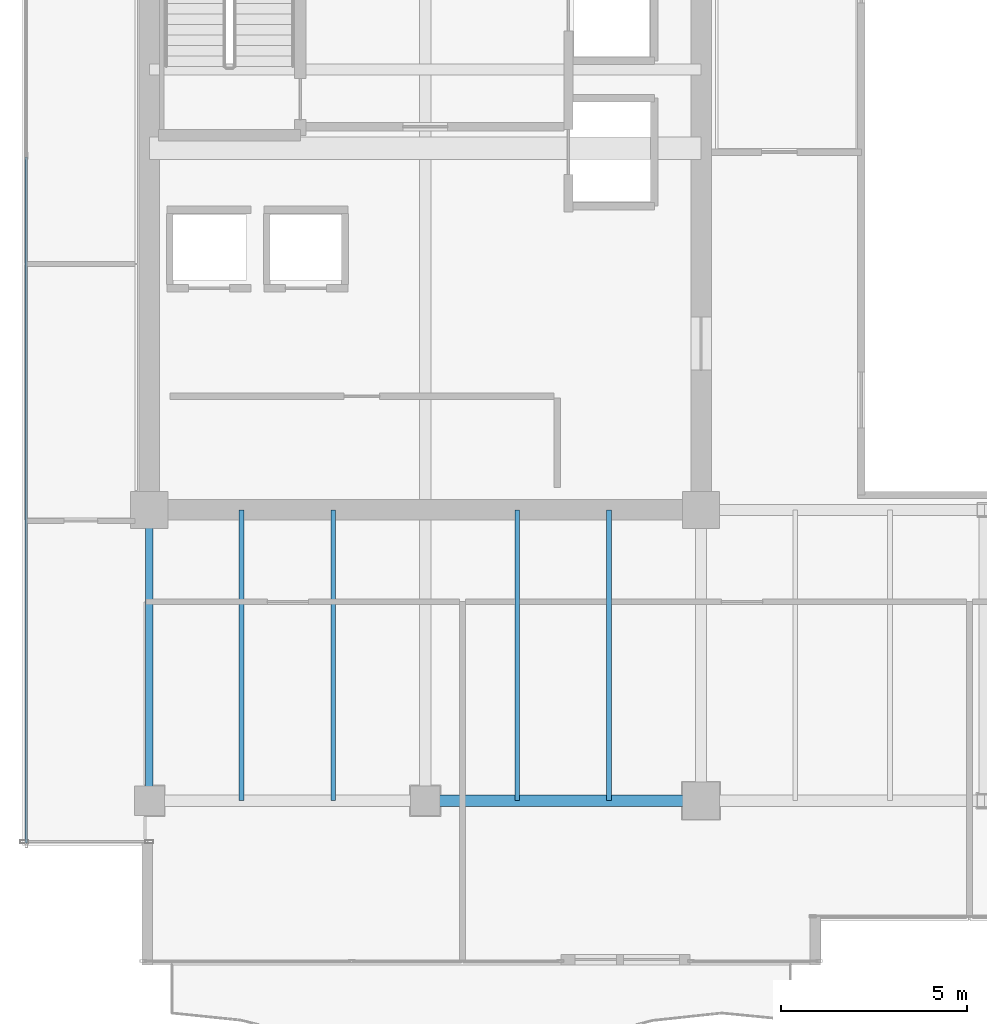
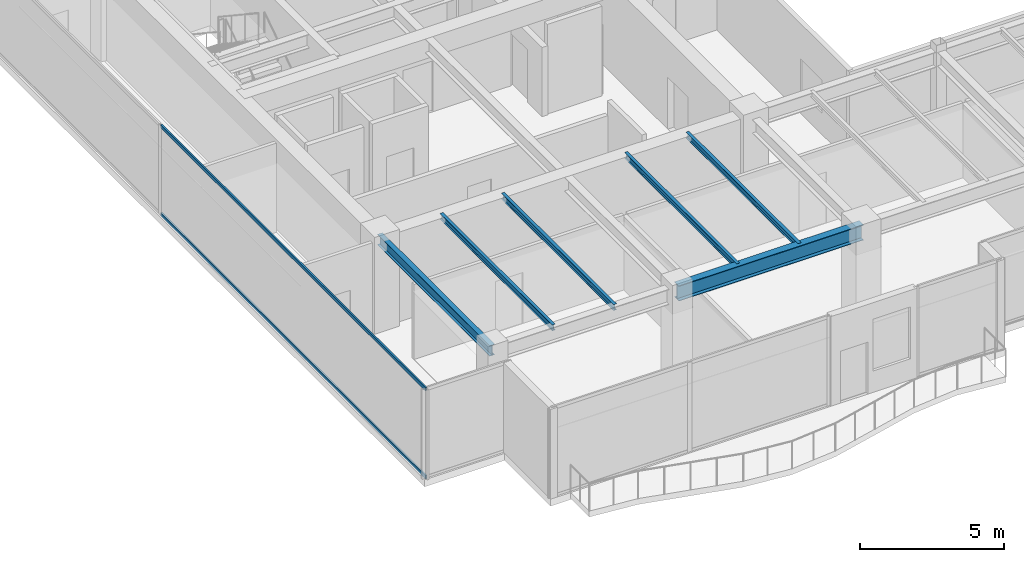
# One storey, part 5 of 35: 6 beams, 2 members, 1 element without a shape of its own.
"""IFC4 building model written with IfcOpenShell, lengths in metres."""

from ifc_helpers import new_model, si_unit, direction, frame, origin, origin_2d, place, context, subcontext, project, spatial, hollow_rectangle, i_section, extrude, source, transform, mapped, material, layer, layer_set, material_profile, profile_set, type_object, type_shapes, element, aggregate, save


model = new_model("IFC4")

# Units and contexts
model_context = context("Model", 3, precision=1e-05, world=origin(), true_north=direction((0.0, 1.0)))
body_context = subcontext(model_context, "Body", "Model", "MODEL_VIEW")
ifc_project = project(units=[si_unit("LENGTHUNIT", "METRE"), si_unit("AREAUNIT", "SQUARE_METRE"), si_unit("VOLUMEUNIT", "CUBIC_METRE"), si_unit("PLANEANGLEUNIT", "RADIAN"), si_unit("MASSUNIT", "GRAM", prefix="KILO")], contexts=[model_context])

# Site, building, storey
site_placement = place(None, origin())
site = spatial("IfcSite", under=ifc_project, at=site_placement, CompositionType="ELEMENT")
building_placement = place(site_placement, origin())
building = spatial("IfcBuilding", under=site, at=building_placement, Name="Haelvirn Gate Laboratories", CompositionType="ELEMENT")
storey_placement = place(building_placement, frame((0.0, 0.0, 283.39990234375)))
storey = spatial("IfcBuildingStorey", under=building, at=storey_placement, Name="L68", CompositionType="ELEMENT", Elevation=283.39990234375)

# Beams
ifc_material_1 = material(Name="Steel SM355", Category="steel")
ifc_material_profile_1 = material_profile(ifc_material_1, i_section(OverallWidth=0.300048828125, OverallDepth=0.64990234375, WebThickness=0.012939453125, FlangeThickness=0.02197265625, at=origin_2d()), Name="H-650x300x13x22")
ifc_profile_set_1 = profile_set([ifc_material_profile_1], Name="Steel SM355")
beam_type_1 = type_object("IfcBeamType", Name="BM-G-650", PredefinedType="BEAM", material=ifc_profile_set_1)
shared_shape_1 = source(origin(), body_context, "Body", "SweptSolid", [
    extrude(i_section(OverallWidth=0.300048828125, OverallDepth=0.64990234375, WebThickness=0.012939453125, FlangeThickness=0.02197265625, at=origin_2d()), origin(), (0.0, 0.0, 1.0), 7.39990234375),
])
type_shapes(beam_type_1, [shared_shape_1])
beam_1_placement = place(storey_placement, frame((14.800048828125, 7.0, 3.47509765625), z_axis=(1.0, 0.0, 0.0), x_axis=(0.0, 1.0, 0.0)))
element("IfcBeam", 1, at=beam_1_placement, inside=storey, type_object=beam_type_1, Name="L68 Primary Girder Y7.0 (14.8-22.2)", PredefinedType="BEAM", context=body_context, shape_type="MappedRepresentation", body=[
    mapped(shared_shape_1, transform((0.0, 0.0, 0.0), scale=1.0)),
])
ifc_material_profile_2 = material_profile(ifc_material_1, i_section(OverallWidth=0.199951171875, OverallDepth=0.449951171875, WebThickness=0.009033203125, FlangeThickness=0.013916015625, at=origin_2d()), Name="H-450x200x9x14")
ifc_profile_set_2 = profile_set([ifc_material_profile_2], Name="Steel SM355")
beam_type_2 = type_object("IfcBeamType", Name="BM-SP-450", PredefinedType="SPANDREL", material=ifc_profile_set_2)
shared_shape_2 = source(origin(), body_context, "Body", "SweptSolid", [
    extrude(i_section(OverallWidth=0.199951171875, OverallDepth=0.449951171875, WebThickness=0.009033203125, FlangeThickness=0.013916015625, at=origin_2d()), origin(), (0.0, 0.0, 1.0), 7.800048828125),
])
type_shapes(beam_type_2, [shared_shape_2])
beam_2_placement = place(storey_placement, frame((7.39990234375, 7.0, 3.5751953125), z_axis=(0.0, 1.0, 0.0), x_axis=(-1.0, 0.0, 0.0)))
element("IfcBeam", 2, at=beam_2_placement, inside=storey, type_object=beam_type_2, Name="L68 Perimeter Spandrel X7.4 (7.0-14.8)", PredefinedType="SPANDREL", context=body_context, shape_type="MappedRepresentation", body=[
    mapped(shared_shape_2, transform((0.0, 0.0, 0.0), scale=1.0)),
])
ifc_material_profile_3 = material_profile(ifc_material_1, i_section(OverallWidth=0.125, OverallDepth=0.25, WebThickness=0.006103515625, FlangeThickness=0.009033203125, at=origin_2d()), Name="H-250x125x6x9")
ifc_profile_set_3 = profile_set([ifc_material_profile_3], Name="Steel SM355")
beam_type_3 = type_object("IfcBeamType", Name="BM-J-250", PredefinedType="JOIST", material=ifc_profile_set_3)
shared_shape_3 = source(origin(), body_context, "Body", "SweptSolid", [
    extrude(i_section(OverallWidth=0.125, OverallDepth=0.25, WebThickness=0.006103515625, FlangeThickness=0.009033203125, at=origin_2d()), origin(), (0.0, 0.0, 1.0), 7.800048828125),
])
type_shapes(beam_type_3, [shared_shape_3])
for number, where, z_axis, x_axis, name in (
    (3, (9.8701171875, 7.0, 3.675048828125), (0.0, 1.0, 0.0), (-1.0, 0.0, 0.0), "L68 Composite Lab Joist South X9.87"),
    (4, (12.330078125, 7.0, 3.675048828125), (0.0, 1.0, 0.0), (-1.0, 0.0, 0.0), "L68 Composite Lab Joist South X12.33"),
    (5, (17.27001953125, 7.0, 3.675048828125), (0.0, 1.0, 0.0), (-1.0, 0.0, 0.0), "L68 Composite Lab Joist South X17.27"),
    (6, (19.72998046875, 7.0, 3.675048828125), (0.0, 1.0, 0.0), (-1.0, 0.0, 0.0), "L68 Composite Lab Joist South X19.73"),
):
    element("IfcBeam", number, at=place(storey_placement, frame(where, z_axis=z_axis, x_axis=x_axis)), inside=storey, type_object=beam_type_3, Name=name, PredefinedType="JOIST", context=body_context, shape_type="MappedRepresentation", body=[
        mapped(shared_shape_3, transform((0.0, 0.0, 0.0), scale=1.0)),
    ])

# Curtain wall, members
ifc_material_2 = material(Name="Anodised bronze unitised aluminium & triple low-E glass", Category="aluminium")
ifc_layer = layer(ifc_material_2, 0.176025390625, Name="CW-SYS-4")
ifc_layer_set = layer_set([ifc_layer], Name="Anodised bronze unitised aluminium & triple low-E glass")
curtain_wall_type = type_object("IfcCurtainWallType", Name="CW-SYS-4", PredefinedType="NOTDEFINED", material=ifc_layer_set)
curtain_wall_placement = place(storey_placement, origin())
curtain_wall = element("IfcCurtainWall", 7, at=curtain_wall_placement, inside=storey, type_object=curtain_wall_type, Name="L68 Unitised Curtain Wall CW-L68-P0-E17", PredefinedType="NOTDEFINED")
ifc_material_3 = material(Name="Extruded aluminium 6063-T6 (anodised bronze)", Category="aluminium")
ifc_material_profile_4 = material_profile(ifc_material_3, hollow_rectangle(XDim=0.06494140625, YDim=0.139892578125, WallThickness=0.00390625, at=origin_2d()), Name="CWT-140x65x4")
ifc_profile_set_4 = profile_set([ifc_material_profile_4], Name="Extruded aluminium 6063-T6 (anodised bronze)")
member_type = type_object("IfcMemberType", Name="CWT-T140", PredefinedType="USERDEFINED", material=ifc_profile_set_4)
shared_shape_4 = source(origin(), body_context, "Body", "SweptSolid", [
    extrude(hollow_rectangle(XDim=0.06494140625, YDim=0.139892578125, WallThickness=0.00390625, at=origin_2d()), origin(), (0.0, 0.0, 1.0), 18.394775390625),
])
type_shapes(member_type, [shared_shape_4])
member_1_placement = place(storey_placement, frame((4.10009765625, 24.264892578125, 0.03271484375), z_axis=(0.0, -1.0, 0.0), x_axis=(1.0, 0.0, 0.0)))
member_1 = element("IfcMember", 8, at=member_1_placement, type_object=member_type, Name="CW4 transom 2.1", ObjectType="TRANSOM", PredefinedType="USERDEFINED", context=body_context, shape_type="MappedRepresentation", body=[
    mapped(shared_shape_4, transform((0.0, 0.0, 0.0), scale=1.0)),
])
member_2_placement = place(storey_placement, frame((4.10009765625, 24.264892578125, 3.767578125), z_axis=(0.0, -1.0, 0.0), x_axis=(1.0, 0.0, 0.0)))
member_2 = element("IfcMember", 9, at=member_2_placement, type_object=member_type, Name="CW4 transom 2.2", ObjectType="TRANSOM", PredefinedType="USERDEFINED", context=body_context, shape_type="MappedRepresentation", body=[
    mapped(shared_shape_4, transform((0.0, 0.0, 0.0), scale=1.0)),
])
aggregate(curtain_wall, [member_1, member_2])

save(model, "model.ifc")
